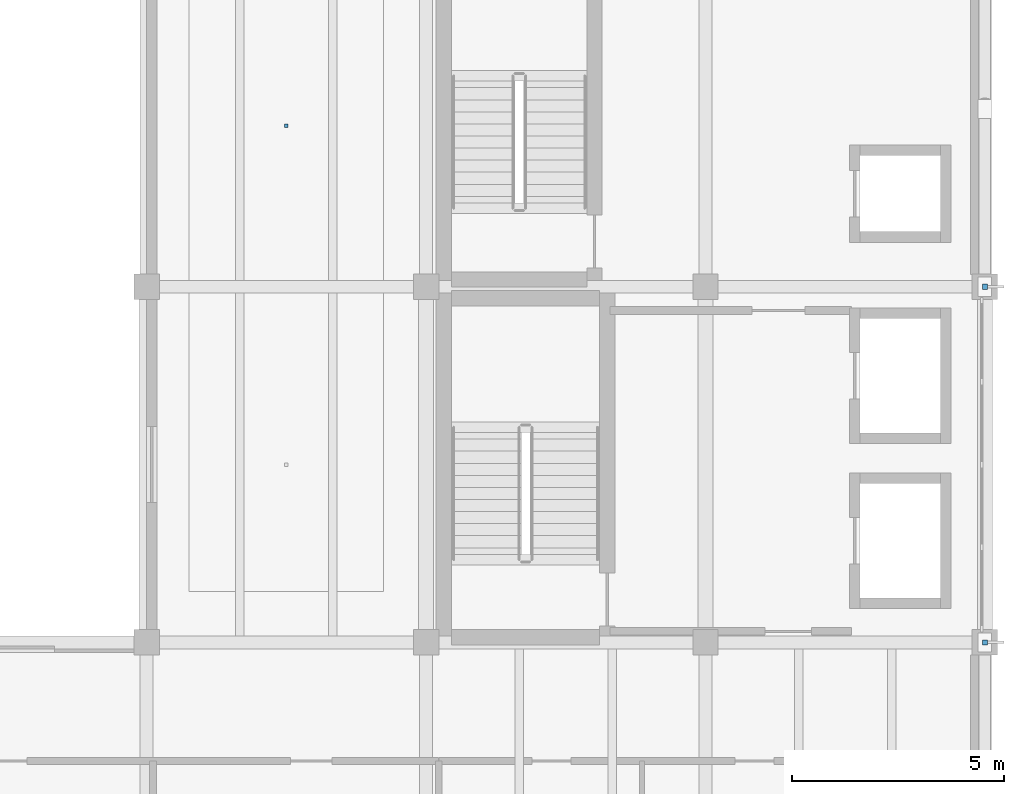
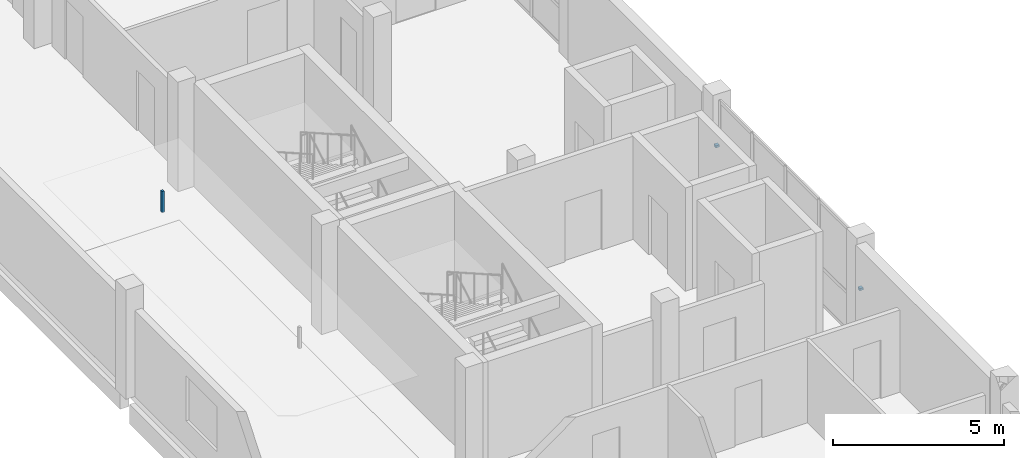
# One storey, part 9 of 12: 3 discrete accessories.
"""IFC4 building model written with IfcOpenShell, lengths in metres."""

from ifc_helpers import new_model, si_unit, direction, frame, origin, origin_2d, place, context, subcontext, project, spatial, rectangle, extrude, material, layer, layer_set, type_object, element, save


model = new_model("IFC4")

# Units and contexts
model_context = context("Model", 3, precision=1e-05, world=origin(), true_north=direction((0.0, 1.0)))
body_context = subcontext(model_context, "Body", "Model", "MODEL_VIEW")
ifc_project = project(units=[si_unit("LENGTHUNIT", "METRE"), si_unit("AREAUNIT", "SQUARE_METRE"), si_unit("VOLUMEUNIT", "CUBIC_METRE"), si_unit("PLANEANGLEUNIT", "RADIAN"), si_unit("MASSUNIT", "GRAM", prefix="KILO")], contexts=[model_context])

# Site, building, storey
site_placement = place(None, origin())
site = spatial("IfcSite", under=ifc_project, at=site_placement, CompositionType="ELEMENT")
building_placement = place(site_placement, origin())
building = spatial("IfcBuilding", under=site, at=building_placement, Name="Qaldarim Faculty of Natural and Applied Sciences", CompositionType="ELEMENT")
storey_placement = place(building_placement, frame((0.0, 0.0, 35.39990234375)))
storey = spatial("IfcBuildingStorey", under=building, at=storey_placement, Name="L08", CompositionType="ELEMENT", Elevation=35.39990234375)

# Discrete accessories
ifc_material = material(Name="Architectural stainless steel 316", Category="steel")
ifc_layer = layer(ifc_material, 0.080078125)
ifc_layer_set = layer_set([ifc_layer], Name="Architectural stainless steel 316")
discrete_accessory_type = type_object("IfcDiscreteAccessoryType", Name="FacadeBracket-SS120", PredefinedType="BRACKET", material=ifc_layer_set)
for number, where, z_axis, x_axis, name in (
    (1, (178.199951171875, 16.800048828125, 1.800048828125), (0.0, 0.0, 1.0), (1.0, 0.0, 0.0), "Tower fin bracket FIN-V5E-L08-Y03"),
    (2, (178.199951171875, 25.199951171875, 1.800048828125), (0.0, 0.0, 1.0), (1.0, 0.0, 0.0), "Tower fin bracket FIN-V5E-L08-Y04"),
):
    element("IfcDiscreteAccessory", number, at=place(storey_placement, frame(where, z_axis=z_axis, x_axis=x_axis)), inside=storey, type_object=discrete_accessory_type, Name=name, PredefinedType="BRACKET", context=body_context, shape_type="SweptSolid", body=[
        extrude(rectangle(XDim=0.1201171875, YDim=0.1201171875, at=origin_2d()), origin(), (0.0, 0.0, 1.0), 0.080078125),
    ])
discrete_accessory_placement = place(storey_placement, frame((161.699951171875, 29.0, 2.9501953125), z_axis=(0.0, 0.0, 1.0), x_axis=(1.0, 0.0, 0.0)))
element("IfcDiscreteAccessory", 3, at=discrete_accessory_placement, inside=storey, type_object=discrete_accessory_type, Name="Ceiling suspension hanger L08 2", PredefinedType="BRACKET", context=body_context, shape_type="SweptSolid", body=[
    extrude(rectangle(XDim=0.080078125, YDim=0.080078125, at=origin_2d()), origin(), (0.0, 0.0, 1.0), 0.75),
])

save(model, "model.ifc")
